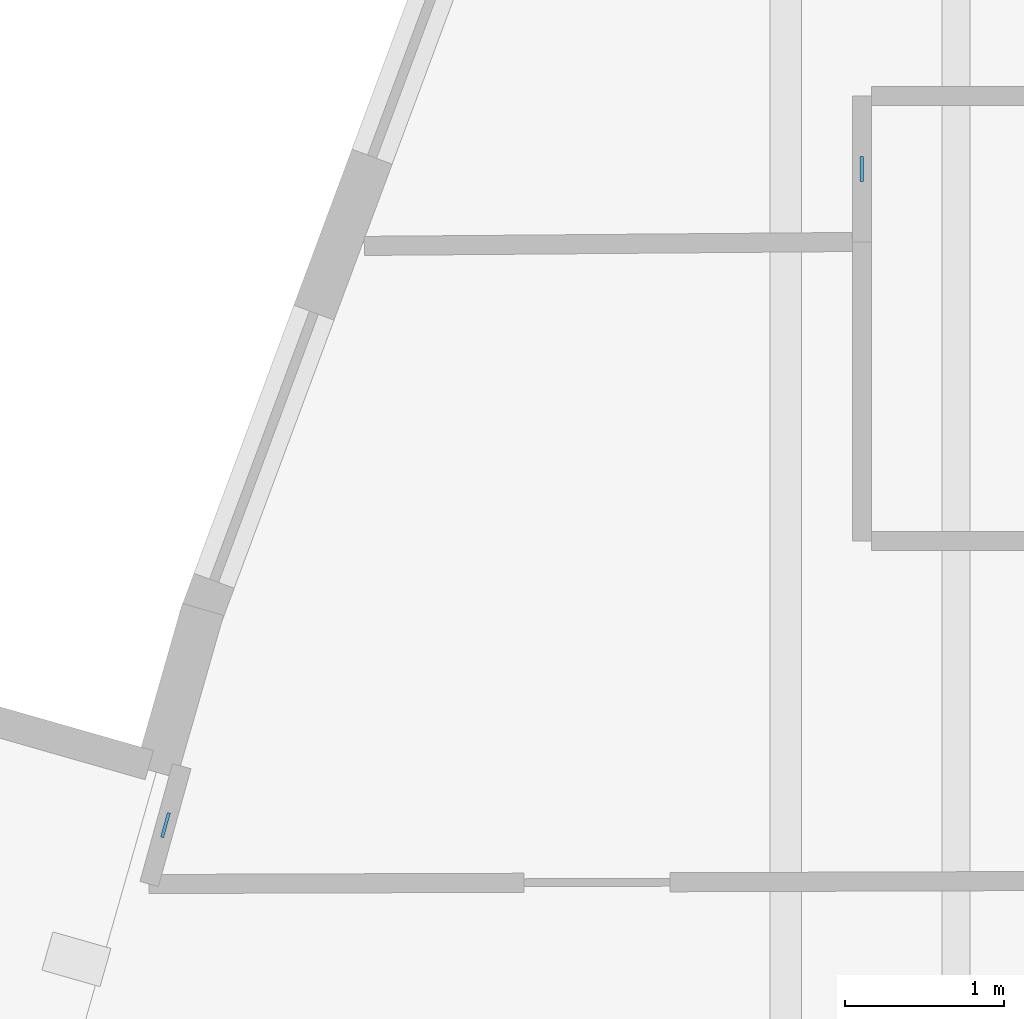
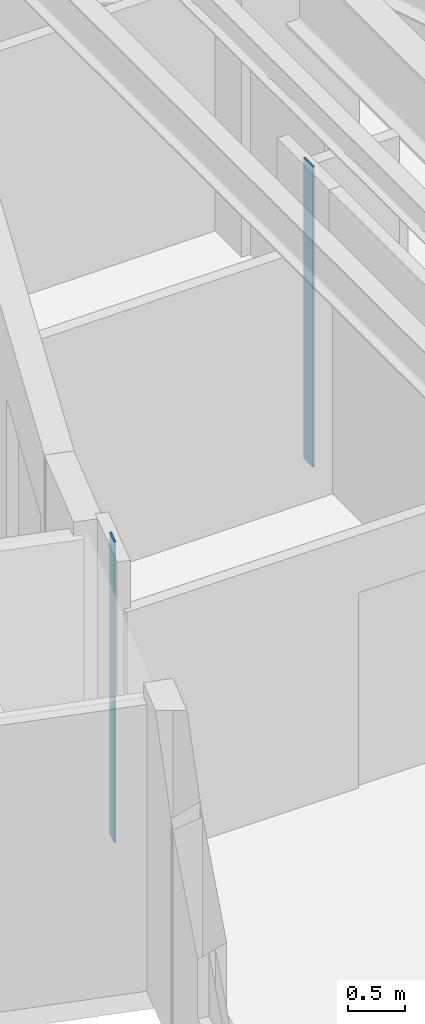
# One storey, part 4 of 14: 2 plates.
"""IFC4 building model written with IfcOpenShell, lengths in metres."""

from ifc_helpers import new_model, si_unit, direction, frame, origin, origin_2d, place, context, subcontext, project, spatial, rectangle, extrude, material, layer, layer_set, type_object, element, save


model = new_model("IFC4")

# Units and contexts
model_context = context("Model", 3, precision=1e-05, world=origin(), true_north=direction((0.0, 1.0)))
body_context = subcontext(model_context, "Body", "Model", "MODEL_VIEW")
ifc_project = project(units=[si_unit("LENGTHUNIT", "METRE"), si_unit("AREAUNIT", "SQUARE_METRE"), si_unit("VOLUMEUNIT", "CUBIC_METRE"), si_unit("PLANEANGLEUNIT", "RADIAN"), si_unit("MASSUNIT", "GRAM", prefix="KILO")], contexts=[model_context])

# Site, building, storey
site_placement = place(None, origin())
site = spatial("IfcSite", under=ifc_project, at=site_placement, CompositionType="ELEMENT")
building_placement = place(site_placement, origin())
building = spatial("IfcBuilding", under=site, at=building_placement, Name="Miruveldt Soraemaru", CompositionType="ELEMENT")
storey_placement = place(building_placement, frame((0.0, 0.0, 117.89990234375)))
storey = spatial("IfcBuildingStorey", under=building, at=storey_placement, Name="L32", CompositionType="ELEMENT", Elevation=117.89990234375)

# Plates
ifc_material = material(Name="Anodised aluminium EN AW-6063 T6", Category="aluminium")
ifc_layer = layer(ifc_material, 0.02001953125, Name="Anodised aluminium EN AW-6063 T6", Category="aluminium")
ifc_layer_set = layer_set([ifc_layer], Name="Anodised aluminium EN AW-6063 T6")
plate_type = type_object("IfcPlateType", Name="PLT-PART-TRIM", PredefinedType="SHEET", material=ifc_layer_set)
for number, where, z_axis, x_axis, name in (
    (1, (29.738037109375, 46.970947265625, 0.0), (0.0, 0.0, 1.0), (0.0, -1.0, 0.0), "L32 Partition Step Corner Trim Plate 047"),
    (2, (25.357421875, 42.843505859375, 0.0), (0.0, 0.0, 1.0), (0.266229118282, 0.963909776161, 0.0), "L32 Partition Step Corner Trim Plate 001"),
):
    element("IfcPlate", number, at=place(storey_placement, frame(where, z_axis=z_axis, x_axis=x_axis)), inside=storey, type_object=plate_type, Name=name, PredefinedType="SHEET", context=body_context, shape_type="SweptSolid", body=[
        extrude(rectangle(XDim=0.159912109375, YDim=0.02001953125, at=origin_2d()), origin(), (0.0, 0.0, 1.0), 3.235107421875),
    ])

save(model, "model.ifc")
